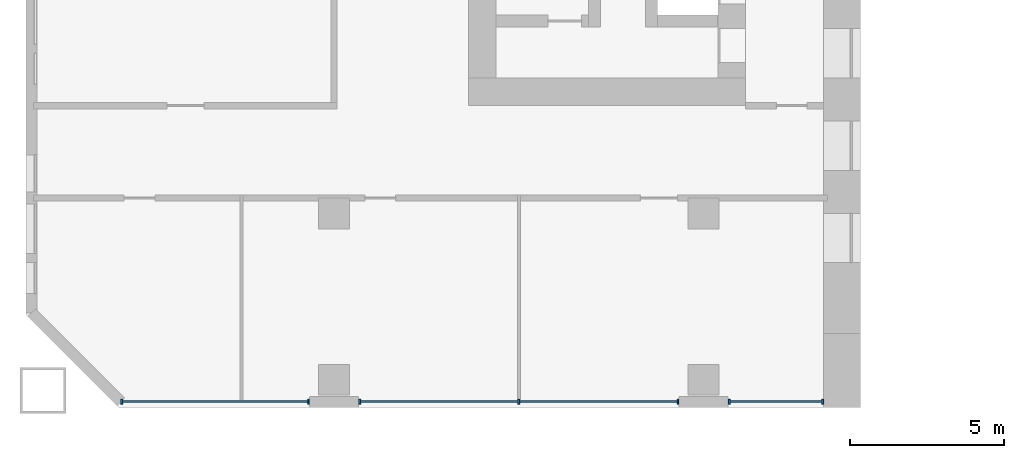
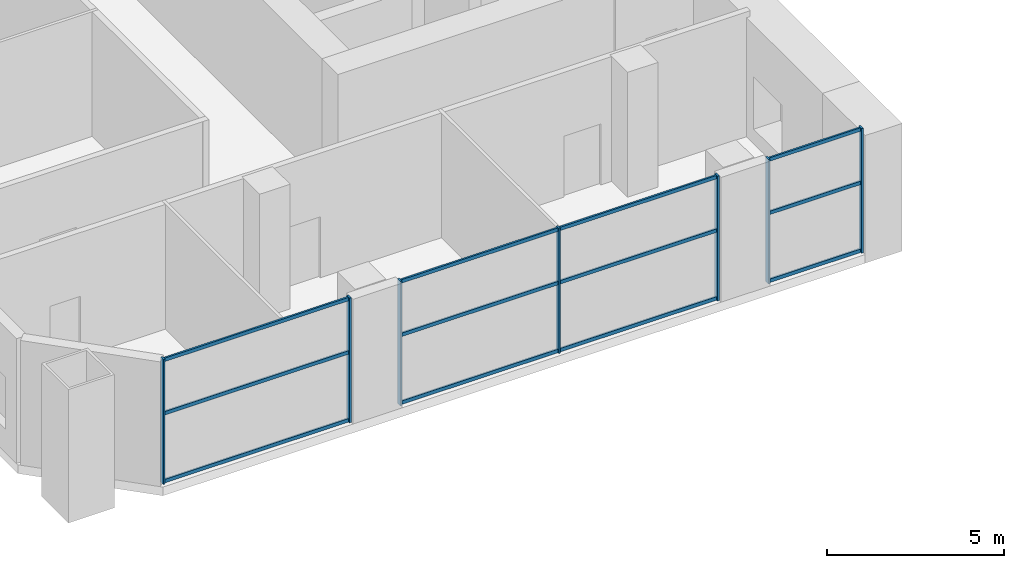
# One storey, part 2 of 19: 19 members, 3 elements without a shape of their own.
"""IFC4 building model written with IfcOpenShell, lengths in metres."""

from ifc_helpers import new_model, si_unit, direction, frame, origin, origin_2d, place, context, subcontext, project, spatial, rectangle, extrude, material, material_profile, profile_set, type_object, element, aggregate, save


model = new_model("IFC4")

# Units and contexts
model_context = context("Model", 3, precision=1e-05, world=origin(), true_north=direction((0.0, 1.0)))
body_context = subcontext(model_context, "Body", "Model", "MODEL_VIEW")
ifc_project = project(units=[si_unit("LENGTHUNIT", "METRE"), si_unit("AREAUNIT", "SQUARE_METRE"), si_unit("VOLUMEUNIT", "CUBIC_METRE"), si_unit("PLANEANGLEUNIT", "RADIAN"), si_unit("MASSUNIT", "GRAM", prefix="KILO")], contexts=[model_context])

# Site, building, storey
site_placement = place(None, origin())
site = spatial("IfcSite", under=ifc_project, at=site_placement, CompositionType="ELEMENT")
building_placement = place(site_placement, origin())
building = spatial("IfcBuilding", under=site, at=building_placement, Name="Tuart Gate Housing", CompositionType="ELEMENT")
storey_placement = place(building_placement, frame((0.0, 0.0, 10.10009765625)))
storey = spatial("IfcBuildingStorey", under=building, at=storey_placement, Name="L02", CompositionType="ELEMENT", Elevation=10.10009765625)

# Curtain wall, members
ifc_material_1 = material(Name="Aluminium and clear glass", Category="aluminium")
curtain_wall_type = type_object("IfcCurtainWallType", Name="Podium health glazing", PredefinedType="USERDEFINED", material=ifc_material_1)
curtain_wall_1_placement = place(storey_placement, origin())
curtain_wall_1 = element("IfcCurtainWall", 1, at=curtain_wall_1_placement, inside=storey, type_object=curtain_wall_type, Name="Podium health glazing A-S L02", ObjectType="PODIUM HEALTH GLAZING", PredefinedType="USERDEFINED")
ifc_material_2 = material(Name="Anodised aluminium", Category="aluminium")
ifc_material_profile_1 = material_profile(ifc_material_2, rectangle(XDim=0.06005859375, YDim=0.159912109375, at=origin_2d()), Name="60x160")
ifc_profile_set_1 = profile_set([ifc_material_profile_1], Name="Anodised aluminium")
member_type_1 = type_object("IfcMemberType", Name="Mullion 60 x 160", PredefinedType="MULLION", material=ifc_profile_set_1)
member_1_placement = place(storey_placement, frame((21.1044921875, 54.179931640625, 0.0), z_axis=(0.0, 0.0, 1.0), x_axis=(1.0, 0.0, 0.0)))
member_1 = element("IfcMember", 2, at=member_1_placement, type_object=member_type_1, Name="CW1 mullion 1", PredefinedType="MULLION", context=body_context, shape_type="SweptSolid", body=[
    extrude(rectangle(XDim=0.06005859375, YDim=0.159912109375, at=origin_2d()), origin(), (0.0, 0.0, 1.0), 4.2998046875),
])
member_2_placement = place(storey_placement, frame((27.169921875, 54.179931640625, 0.0), z_axis=(0.0, 0.0, 1.0), x_axis=(1.0, 0.0, 0.0)))
member_2 = element("IfcMember", 3, at=member_2_placement, type_object=member_type_1, Name="CW1 mullion 2", PredefinedType="MULLION", context=body_context, shape_type="SweptSolid", body=[
    extrude(rectangle(XDim=0.06005859375, YDim=0.159912109375, at=origin_2d()), origin(), (0.0, 0.0, 1.0), 4.2998046875),
])

curtain_wall_2_placement = place(storey_placement, origin())
curtain_wall_2 = element("IfcCurtainWall", 4, at=curtain_wall_2_placement, inside=storey, type_object=curtain_wall_type, Name="Podium health glazing A-S L02", ObjectType="PODIUM HEALTH GLAZING", PredefinedType="USERDEFINED")
member_3_placement = place(storey_placement, frame((28.830078125, 54.179931640625, 0.0), z_axis=(0.0, 0.0, 1.0), x_axis=(1.0, 0.0, 0.0)))
member_3 = element("IfcMember", 5, at=member_3_placement, type_object=member_type_1, Name="CW1 mullion 1", PredefinedType="MULLION", context=body_context, shape_type="SweptSolid", body=[
    extrude(rectangle(XDim=0.06005859375, YDim=0.159912109375, at=origin_2d()), origin(), (0.0, 0.0, 1.0), 4.2998046875),
])
member_4_placement = place(storey_placement, frame((34.0, 54.179931640625, 0.0), z_axis=(0.0, 0.0, 1.0), x_axis=(1.0, 0.0, 0.0)))
member_4 = element("IfcMember", 6, at=member_4_placement, type_object=member_type_1, Name="CW1 mullion 2", PredefinedType="MULLION", context=body_context, shape_type="SweptSolid", body=[
    extrude(rectangle(XDim=0.06005859375, YDim=0.159912109375, at=origin_2d()), origin(), (0.0, 0.0, 1.0), 4.2998046875),
])
member_5_placement = place(storey_placement, frame((39.169921875, 54.179931640625, 0.0), z_axis=(0.0, 0.0, 1.0), x_axis=(1.0, 0.0, 0.0)))
member_5 = element("IfcMember", 7, at=member_5_placement, type_object=member_type_1, Name="CW1 mullion 3", PredefinedType="MULLION", context=body_context, shape_type="SweptSolid", body=[
    extrude(rectangle(XDim=0.06005859375, YDim=0.159912109375, at=origin_2d()), origin(), (0.0, 0.0, 1.0), 4.2998046875),
])

curtain_wall_3_placement = place(storey_placement, origin())
curtain_wall_3 = element("IfcCurtainWall", 8, at=curtain_wall_3_placement, inside=storey, type_object=curtain_wall_type, Name="Podium health glazing A-S L02", ObjectType="PODIUM HEALTH GLAZING", PredefinedType="USERDEFINED")
member_6_placement = place(storey_placement, frame((40.830078125, 54.179931640625, 0.0), z_axis=(0.0, 0.0, 1.0), x_axis=(1.0, 0.0, 0.0)))
member_6 = element("IfcMember", 9, at=member_6_placement, type_object=member_type_1, Name="CW1 mullion 1", PredefinedType="MULLION", context=body_context, shape_type="SweptSolid", body=[
    extrude(rectangle(XDim=0.06005859375, YDim=0.159912109375, at=origin_2d()), origin(), (0.0, 0.0, 1.0), 4.2998046875),
])
member_7_placement = place(storey_placement, frame((43.8701171875, 54.179931640625, 0.0), z_axis=(0.0, 0.0, 1.0), x_axis=(1.0, 0.0, 0.0)))
member_7 = element("IfcMember", 10, at=member_7_placement, type_object=member_type_1, Name="CW1 mullion 2", PredefinedType="MULLION", context=body_context, shape_type="SweptSolid", body=[
    extrude(rectangle(XDim=0.06005859375, YDim=0.159912109375, at=origin_2d()), origin(), (0.0, 0.0, 1.0), 4.2998046875),
])

# Member
ifc_material_3 = material(Name="Anodised aluminium", Category="aluminium")
ifc_material_profile_2 = material_profile(ifc_material_3, rectangle(XDim=0.06005859375, YDim=0.1201171875, at=origin_2d()), Name="60x120")
ifc_profile_set_2 = profile_set([ifc_material_profile_2], Name="Anodised aluminium")
member_type_2 = type_object("IfcMemberType", Name="Transom 60 x 120", PredefinedType="USERDEFINED", material=ifc_profile_set_2)
member_8_placement = place(storey_placement, frame((21.134521484375, 54.179931640625, 0.059814453125), z_axis=(1.0, 0.0, 0.0), x_axis=(0.0, 1.0, 0.0)))
member_8 = element("IfcMember", 11, at=member_8_placement, type_object=member_type_2, Name="CW1 transom 1.1", ObjectType="TRANSOM", PredefinedType="USERDEFINED", context=body_context, shape_type="SweptSolid", body=[
    extrude(rectangle(XDim=0.06005859375, YDim=0.1201171875, at=origin_2d()), origin(), (0.0, 0.0, 1.0), 6.00537109375),
])

member_9_placement = place(storey_placement, frame((21.134521484375, 54.179931640625, 2.39990234375), z_axis=(1.0, 0.0, 0.0), x_axis=(0.0, 1.0, 0.0)))
member_9 = element("IfcMember", 12, at=member_9_placement, type_object=member_type_2, Name="CW1 transom 1.2", ObjectType="TRANSOM", PredefinedType="USERDEFINED", context=body_context, shape_type="SweptSolid", body=[
    extrude(rectangle(XDim=0.06005859375, YDim=0.1201171875, at=origin_2d()), origin(), (0.0, 0.0, 1.0), 6.00537109375),
])

member_10_placement = place(storey_placement, frame((21.134521484375, 54.179931640625, 4.239990234375), z_axis=(1.0, 0.0, 0.0), x_axis=(0.0, 1.0, 0.0)))
member_10 = element("IfcMember", 13, at=member_10_placement, type_object=member_type_2, Name="CW1 transom 1.3", ObjectType="TRANSOM", PredefinedType="USERDEFINED", context=body_context, shape_type="SweptSolid", body=[
    extrude(rectangle(XDim=0.06005859375, YDim=0.1201171875, at=origin_2d()), origin(), (0.0, 0.0, 1.0), 6.00537109375),
])

aggregate(curtain_wall_1, [member_1, member_2, member_8, member_9, member_10])

member_11_placement = place(storey_placement, frame((28.860107421875, 54.179931640625, 0.059814453125), z_axis=(1.0, 0.0, 0.0), x_axis=(0.0, 1.0, 0.0)))
member_11 = element("IfcMember", 14, at=member_11_placement, type_object=member_type_2, Name="CW1 transom 1.1", ObjectType="TRANSOM", PredefinedType="USERDEFINED", context=body_context, shape_type="SweptSolid", body=[
    extrude(rectangle(XDim=0.06005859375, YDim=0.1201171875, at=origin_2d()), origin(), (0.0, 0.0, 1.0), 5.10986328125),
])

member_12_placement = place(storey_placement, frame((28.860107421875, 54.179931640625, 2.39990234375), z_axis=(1.0, 0.0, 0.0), x_axis=(0.0, 1.0, 0.0)))
member_12 = element("IfcMember", 15, at=member_12_placement, type_object=member_type_2, Name="CW1 transom 1.2", ObjectType="TRANSOM", PredefinedType="USERDEFINED", context=body_context, shape_type="SweptSolid", body=[
    extrude(rectangle(XDim=0.06005859375, YDim=0.1201171875, at=origin_2d()), origin(), (0.0, 0.0, 1.0), 5.10986328125),
])

member_13_placement = place(storey_placement, frame((28.860107421875, 54.179931640625, 4.239990234375), z_axis=(1.0, 0.0, 0.0), x_axis=(0.0, 1.0, 0.0)))
member_13 = element("IfcMember", 16, at=member_13_placement, type_object=member_type_2, Name="CW1 transom 1.3", ObjectType="TRANSOM", PredefinedType="USERDEFINED", context=body_context, shape_type="SweptSolid", body=[
    extrude(rectangle(XDim=0.06005859375, YDim=0.1201171875, at=origin_2d()), origin(), (0.0, 0.0, 1.0), 5.10986328125),
])

member_14_placement = place(storey_placement, frame((34.030029296875, 54.179931640625, 0.059814453125), z_axis=(1.0, 0.0, 0.0), x_axis=(0.0, 1.0, 0.0)))
member_14 = element("IfcMember", 17, at=member_14_placement, type_object=member_type_2, Name="CW1 transom 2.1", ObjectType="TRANSOM", PredefinedType="USERDEFINED", context=body_context, shape_type="SweptSolid", body=[
    extrude(rectangle(XDim=0.06005859375, YDim=0.1201171875, at=origin_2d()), origin(), (0.0, 0.0, 1.0), 5.10986328125),
])

member_15_placement = place(storey_placement, frame((34.030029296875, 54.179931640625, 2.39990234375), z_axis=(1.0, 0.0, 0.0), x_axis=(0.0, 1.0, 0.0)))
member_15 = element("IfcMember", 18, at=member_15_placement, type_object=member_type_2, Name="CW1 transom 2.2", ObjectType="TRANSOM", PredefinedType="USERDEFINED", context=body_context, shape_type="SweptSolid", body=[
    extrude(rectangle(XDim=0.06005859375, YDim=0.1201171875, at=origin_2d()), origin(), (0.0, 0.0, 1.0), 5.10986328125),
])

member_16_placement = place(storey_placement, frame((34.030029296875, 54.179931640625, 4.239990234375), z_axis=(1.0, 0.0, 0.0), x_axis=(0.0, 1.0, 0.0)))
member_16 = element("IfcMember", 19, at=member_16_placement, type_object=member_type_2, Name="CW1 transom 2.3", ObjectType="TRANSOM", PredefinedType="USERDEFINED", context=body_context, shape_type="SweptSolid", body=[
    extrude(rectangle(XDim=0.06005859375, YDim=0.1201171875, at=origin_2d()), origin(), (0.0, 0.0, 1.0), 5.10986328125),
])

aggregate(curtain_wall_2, [member_3, member_4, member_5, member_11, member_12, member_13, member_14, member_15, member_16])

member_17_placement = place(storey_placement, frame((40.860107421875, 54.179931640625, 0.059814453125), z_axis=(1.0, 0.0, 0.0), x_axis=(0.0, 1.0, 0.0)))
member_17 = element("IfcMember", 20, at=member_17_placement, type_object=member_type_2, Name="CW1 transom 1.1", ObjectType="TRANSOM", PredefinedType="USERDEFINED", context=body_context, shape_type="SweptSolid", body=[
    extrude(rectangle(XDim=0.06005859375, YDim=0.1201171875, at=origin_2d()), origin(), (0.0, 0.0, 1.0), 2.97998046875),
])

member_18_placement = place(storey_placement, frame((40.860107421875, 54.179931640625, 2.39990234375), z_axis=(1.0, 0.0, 0.0), x_axis=(0.0, 1.0, 0.0)))
member_18 = element("IfcMember", 21, at=member_18_placement, type_object=member_type_2, Name="CW1 transom 1.2", ObjectType="TRANSOM", PredefinedType="USERDEFINED", context=body_context, shape_type="SweptSolid", body=[
    extrude(rectangle(XDim=0.06005859375, YDim=0.1201171875, at=origin_2d()), origin(), (0.0, 0.0, 1.0), 2.97998046875),
])

member_19_placement = place(storey_placement, frame((40.860107421875, 54.179931640625, 4.239990234375), z_axis=(1.0, 0.0, 0.0), x_axis=(0.0, 1.0, 0.0)))
member_19 = element("IfcMember", 22, at=member_19_placement, type_object=member_type_2, Name="CW1 transom 1.3", ObjectType="TRANSOM", PredefinedType="USERDEFINED", context=body_context, shape_type="SweptSolid", body=[
    extrude(rectangle(XDim=0.06005859375, YDim=0.1201171875, at=origin_2d()), origin(), (0.0, 0.0, 1.0), 2.97998046875),
])

aggregate(curtain_wall_3, [member_6, member_7, member_17, member_18, member_19])

save(model, "model.ifc")
